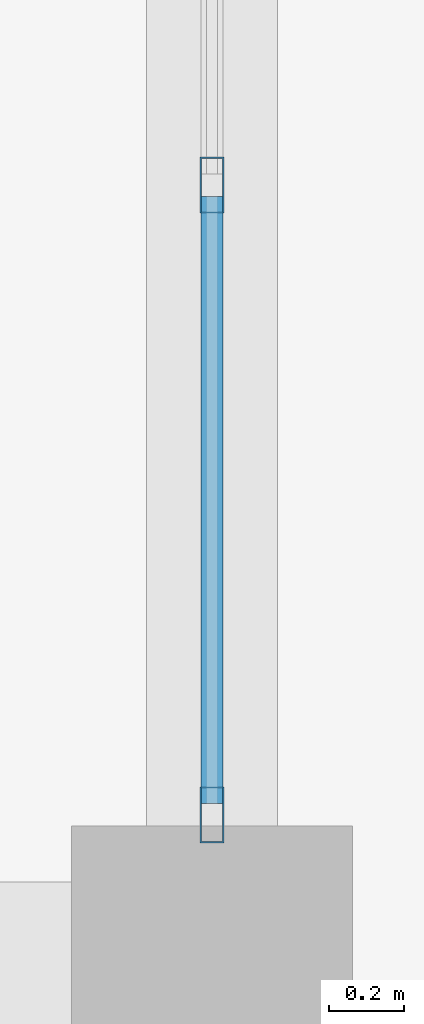
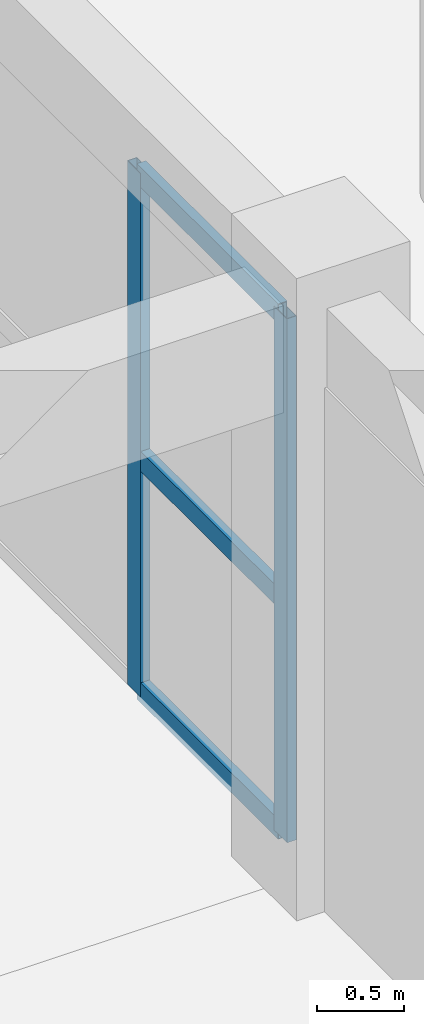
# One storey, part 36 of 79: 5 members, 1 element without a shape of its own.
"""IFC4 building model written with IfcOpenShell, lengths in metres."""

from ifc_helpers import new_model, si_unit, direction, frame, origin, origin_2d, place, context, subcontext, project, spatial, hollow_rectangle, extrude, material, material_profile, profile_set, type_object, element, aggregate, save


model = new_model("IFC4")

# Units and contexts
model_context = context("Model", 3, precision=1e-05, world=origin(), true_north=direction((0.0, 1.0)))
body_context = subcontext(model_context, "Body", "Model", "MODEL_VIEW")
ifc_project = project(units=[si_unit("LENGTHUNIT", "METRE"), si_unit("AREAUNIT", "SQUARE_METRE"), si_unit("VOLUMEUNIT", "CUBIC_METRE"), si_unit("PLANEANGLEUNIT", "RADIAN"), si_unit("MASSUNIT", "GRAM", prefix="KILO")], contexts=[model_context])

# Site, building, storey
site_placement = place(None, origin())
site = spatial("IfcSite", under=ifc_project, at=site_placement, CompositionType="ELEMENT")
building_placement = place(site_placement, origin())
building = spatial("IfcBuilding", under=site, at=building_placement, Name="Zantavel Square City Hall", CompositionType="ELEMENT")
storey_placement = place(building_placement, frame((0.0, 0.0, 10.199951171875)))
storey = spatial("IfcBuildingStorey", under=building, at=storey_placement, Name="L03", CompositionType="ELEMENT", Elevation=10.199951171875)

# Curtain wall, members
ifc_material = material(Name="Anodised aluminium 6063-T6", Category="aluminium")
curtain_wall_type = type_object("IfcCurtainWallType", Name="Curtain Wall TRV1 6850x3670", PredefinedType="USERDEFINED", material=ifc_material)
curtain_wall_placement = place(storey_placement, origin())
curtain_wall = element("IfcCurtainWall", 1, at=curtain_wall_placement, inside=storey, type_object=curtain_wall_type, Name="L03 Glazed Curtain Wall CW-L03-091", ObjectType="GLAZED CURTAIN WALL", PredefinedType="USERDEFINED")
ifc_material_profile_1 = material_profile(ifc_material, hollow_rectangle(XDim=0.06494140625, YDim=0.14990234375, WallThickness=0.00390625, at=origin_2d()), Name="ALU 65x150x4")
ifc_profile_set_1 = profile_set([ifc_material_profile_1], Name="Anodised aluminium 6063-T6")
member_type_1 = type_object("IfcMemberType", Name="CW Mullion ALU 65x150x4", PredefinedType="MULLION", material=ifc_profile_set_1)
member_1_placement = place(storey_placement, frame((112.0, 55.28759765625, 0.0), z_axis=(0.0, 0.0, 1.0), x_axis=(1.0, 0.0, 0.0)))
member_1 = element("IfcMember", 2, at=member_1_placement, type_object=member_type_1, Name="CW-091 mullion 4", PredefinedType="MULLION", context=body_context, shape_type="SweptSolid", body=[
    extrude(hollow_rectangle(XDim=0.06494140625, YDim=0.14990234375, WallThickness=0.00390625, at=origin_2d()), origin(), (0.0, 0.0, 1.0), 3.670166015625),
])
member_2_placement = place(storey_placement, frame((112.0, 53.60498046875, 0.0), z_axis=(0.0, 0.0, 1.0), x_axis=(1.0, 0.0, 0.0)))
member_2 = element("IfcMember", 3, at=member_2_placement, type_object=member_type_1, Name="CW-091 mullion 5", PredefinedType="MULLION", context=body_context, shape_type="SweptSolid", body=[
    extrude(hollow_rectangle(XDim=0.06494140625, YDim=0.14990234375, WallThickness=0.00390625, at=origin_2d()), origin(), (0.0, 0.0, 1.0), 3.670166015625),
])
ifc_material_profile_2 = material_profile(ifc_material, hollow_rectangle(XDim=0.06005859375, YDim=0.139892578125, WallThickness=0.00390625, at=origin_2d()), Name="ALU 60x140x4")
ifc_profile_set_2 = profile_set([ifc_material_profile_2], Name="Anodised aluminium 6063-T6")
member_type_2 = type_object("IfcMemberType", Name="CW Transom ALU 60x140x4", PredefinedType="USERDEFINED", material=ifc_profile_set_2)
member_3_placement = place(storey_placement, frame((112.0, 55.257568359375, 0.030029296875), z_axis=(0.0, -1.0, 0.0), x_axis=(1.0, 0.0, 0.0)))
member_3 = element("IfcMember", 4, at=member_3_placement, type_object=member_type_2, Name="CW-091 transom 4.1", ObjectType="TRANSOM", PredefinedType="USERDEFINED", context=body_context, shape_type="SweptSolid", body=[
    extrude(hollow_rectangle(XDim=0.06005859375, YDim=0.139892578125, WallThickness=0.00390625, at=origin_2d()), origin(), (0.0, 0.0, 1.0), 1.62255859375),
])
member_4_placement = place(storey_placement, frame((112.0, 55.257568359375, 1.651123046875), z_axis=(0.0, -1.0, 0.0), x_axis=(1.0, 0.0, 0.0)))
member_4 = element("IfcMember", 5, at=member_4_placement, type_object=member_type_2, Name="CW-091 transom 4.2", ObjectType="TRANSOM", PredefinedType="USERDEFINED", context=body_context, shape_type="SweptSolid", body=[
    extrude(hollow_rectangle(XDim=0.06005859375, YDim=0.139892578125, WallThickness=0.00390625, at=origin_2d()), origin(), (0.0, 0.0, 1.0), 1.62255859375),
])
member_5_placement = place(storey_placement, frame((112.0, 55.257568359375, 3.64013671875), z_axis=(0.0, -1.0, 0.0), x_axis=(1.0, 0.0, 0.0)))
member_5 = element("IfcMember", 6, at=member_5_placement, type_object=member_type_2, Name="CW-091 transom 4.3", ObjectType="TRANSOM", PredefinedType="USERDEFINED", context=body_context, shape_type="SweptSolid", body=[
    extrude(hollow_rectangle(XDim=0.06005859375, YDim=0.139892578125, WallThickness=0.00390625, at=origin_2d()), origin(), (0.0, 0.0, 1.0), 1.62255859375),
])
aggregate(curtain_wall, [member_1, member_2, member_3, member_4, member_5])

save(model, "model.ifc")
